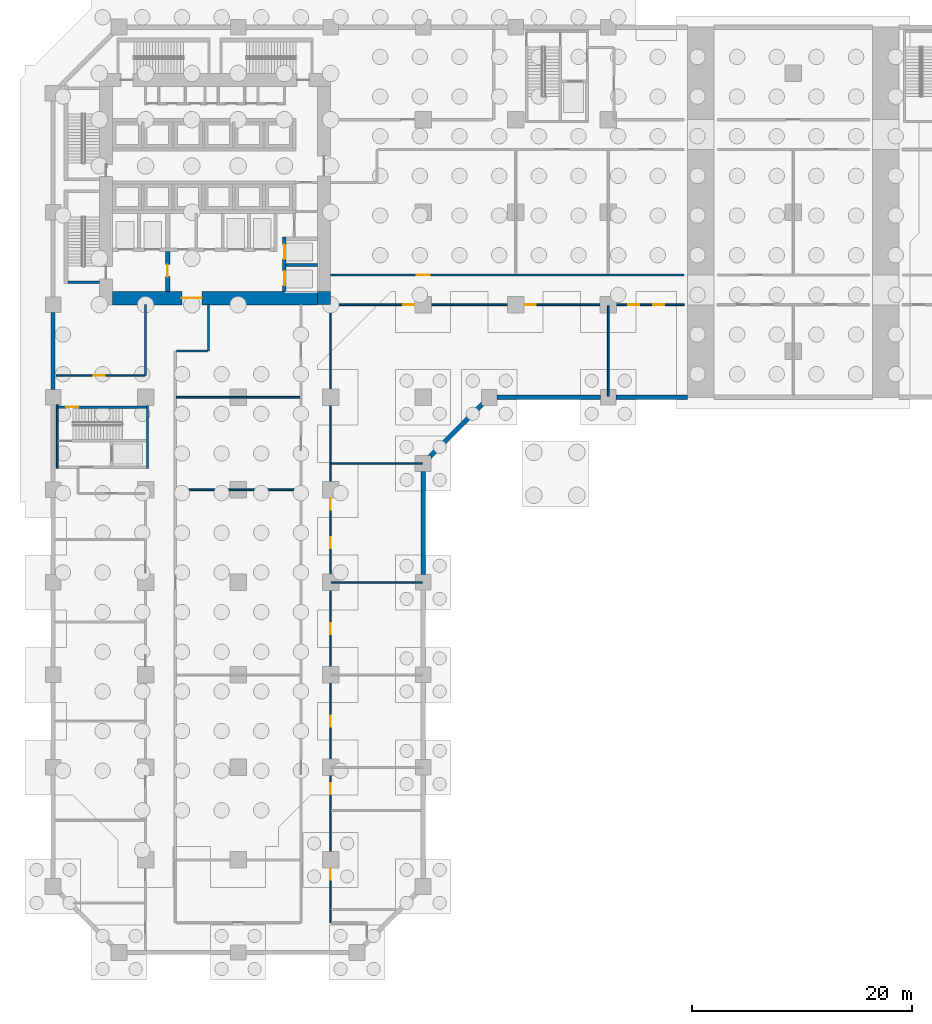
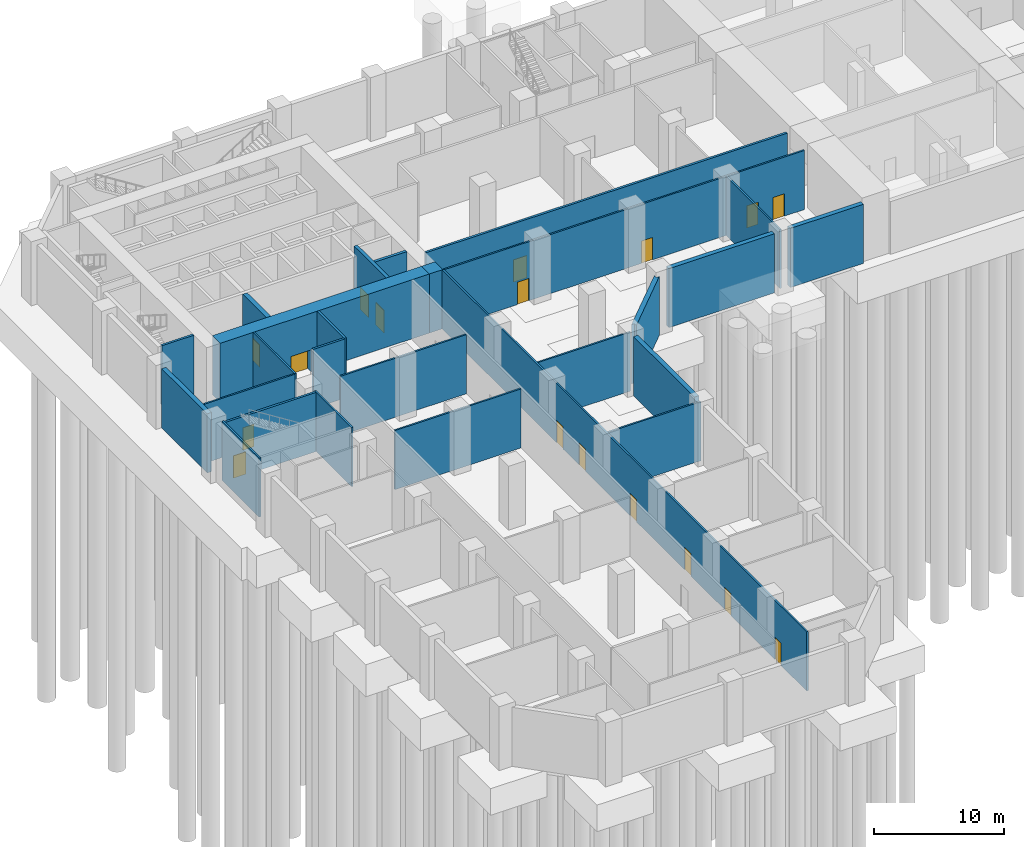
# One storey, part 5 of 13: 26 walls, 17 doors, 17 openings.
"""IFC4 building model written with IfcOpenShell, lengths in metres."""

from ifc_helpers import new_model, si_unit, direction, frame, frame_2d, origin, place, context, subcontext, project, spatial, polyline, rectangle, outline, extrude, material, layer, layer_set, type_object, element, fill, save


model = new_model("IFC4")

# Units and contexts
model_context = context("Model", 3, precision=1e-05, world=origin(), true_north=direction((0.0, 1.0)))
body_context = subcontext(model_context, "Body", "Model", "MODEL_VIEW")
ifc_project = project(units=[si_unit("LENGTHUNIT", "METRE"), si_unit("AREAUNIT", "SQUARE_METRE"), si_unit("VOLUMEUNIT", "CUBIC_METRE"), si_unit("PLANEANGLEUNIT", "RADIAN"), si_unit("MASSUNIT", "GRAM", prefix="KILO")], contexts=[model_context])

# Site, building, storey
site_placement = place(None, origin())
site = spatial("IfcSite", under=ifc_project, at=site_placement, CompositionType="ELEMENT")
building_placement = place(site_placement, origin())
building = spatial("IfcBuilding", under=site, at=building_placement, Name="Kawkab Arch Medical Tower", CompositionType="ELEMENT")
storey_placement = place(building_placement, frame((0.0, 0.0, -6.0)))
storey = spatial("IfcBuildingStorey", under=building, at=storey_placement, Name="B1", CompositionType="ELEMENT", Elevation=-6.0)

# Walls
ifc_material_1 = material(Name="Concrete C45/55", Category="concrete")
ifc_layer_1 = layer(ifc_material_1, 0.39990234375)
ifc_layer_set_1 = layer_set([ifc_layer_1], Name="Concrete C45/55")
wall_type_1 = type_object("IfcWallType", Name="Basement wall 400 C45/55", PredefinedType="SOLIDWALL", material=ifc_layer_set_1)
placement = place(storey_placement, origin())
element("IfcWall", 1, at=placement, inside=storey, type_object=wall_type_1, Name="Basement wall 15", PredefinedType="SOLIDWALL", context=body_context, shape_type="SweptSolid", body=[
    extrude(outline(polyline([(0.199951171875, -25.89990234375), (0.199951171875, -32.89990234375), (-0.199951171875, -32.89990234375), (-0.199951171875, -25.89990234375), (0.199951171875, -25.89990234375)])), origin(), (0.0, 0.0, 1.0), 5.550048828125),
])
element("IfcWall", 2, at=placement, inside=storey, type_object=wall_type_1, Name="Basement wall 17", PredefinedType="SOLIDWALL", context=body_context, shape_type="SweptSolid", body=[
    extrude(outline(polyline([(40.324951171875, -33.39990234375), (49.699951171875, -33.39990234375), (49.699951171875, -33.800048828125), (40.324951171875, -33.800048828125), (40.324951171875, -33.39990234375)])), origin(), (0.0, 0.0, 1.0), 5.550048828125),
])
element("IfcWall", 3, at=placement, inside=storey, type_object=wall_type_1, Name="Basement wall 18", PredefinedType="SOLIDWALL", context=body_context, shape_type="SweptSolid", body=[
    extrude(outline(polyline([(51.10009765625, -33.39990234375), (57.60009765625, -33.39990234375), (57.60009765625, -33.800048828125), (51.10009765625, -33.800048828125), (51.10009765625, -33.39990234375)])), origin(), (0.0, 0.0, 1.0), 5.550048828125),
])
element("IfcWall", 4, at=placement, inside=storey, type_object=wall_type_1, Name="Basement wall 21", PredefinedType="SOLIDWALL", context=body_context, shape_type="SweptSolid", body=[
    extrude(outline(polyline([(34.324951171875, -38.875), (34.042236328125, -38.875), (38.875, -34.042236328125), (38.875, -34.324951171875), (39.15771484375, -34.324951171875), (34.324951171875, -39.15771484375), (34.324951171875, -38.875)])), origin(), (0.0, 0.0, 1.0), 5.550048828125),
])
element("IfcWall", 5, at=placement, inside=storey, type_object=wall_type_1, Name="Basement wall 23", PredefinedType="SOLIDWALL", context=body_context, shape_type="SweptSolid", body=[
    extrude(outline(polyline([(33.39990234375, -49.699951171875), (33.39990234375, -40.324951171875), (33.800048828125, -40.324951171875), (33.800048828125, -49.699951171875), (33.39990234375, -49.699951171875)])), origin(), (0.0, 0.0, 1.0), 5.550048828125),
])

# Wall, opening, door
ifc_material_2 = material(Name="Concrete C60/75", Category="concrete")
ifc_layer_2 = layer(ifc_material_2, 1.199951171875)
ifc_layer_set_2 = layer_set([ifc_layer_2], Name="Concrete C60/75")
wall_type_2 = type_object("IfcWallType", Name="Core ring wall 1200 C60/75", PredefinedType="SHEAR", material=ifc_layer_set_2)
wall_6_placement = place(storey_placement, frame((5.39990234375, -24.60009765625, 0.0), z_axis=(0.0, 0.0, 1.0), x_axis=(1.0, 0.0, 0.0)))
wall_6 = element("IfcWall", 6, at=wall_6_placement, inside=storey, type_object=wall_type_2, Name="B1 core wall", PredefinedType="SHEAR", context=body_context, shape_type="SweptSolid", body=[
    extrude(rectangle(XDim=18.60009765625, YDim=1.199951171875, at=frame_2d((9.300048828125, 0.0))), origin(), (0.0, 0.0, 1.0), 5.550048828125),
])
opening_1_placement = place(wall_6_placement, frame((6.300048828125, 0.0, 0.0)))
opening_1 = element("IfcOpeningElement", 7, at=opening_1_placement, cuts=wall_6, Name="Opening PD", PredefinedType="OPENING", context=body_context, shape_type="SweptSolid", body=[
    extrude(rectangle(XDim=1.800048828125, YDim=2.10009765625, at=frame_2d((0.89990234375, 1.050048828125))), frame((0.0, 0.60986328125, 0.0), z_axis=(0.0, -1.0, 0.0), x_axis=(1.0, 0.0, 0.0)), (0.0, 0.0, 1.0), 1.219970703125),
])
ifc_material_3 = material(Name="Hollow metal fire door leaf")
door_type_1 = type_object("IfcDoorType", Name="Core entrance doors 1800", OperationType="DOUBLE_DOOR_SINGLE_SWING", PredefinedType="DOOR", material=ifc_material_3)
door_1_placement = place(opening_1_placement, origin())
door_1 = element("IfcDoor", 8, at=door_1_placement, inside=storey, type_object=door_type_1, Name="B1 South entrance doors", OperationType="DOUBLE_DOOR_SINGLE_SWING", OverallHeight=2.10009765625, OverallWidth=1.800048828125, PredefinedType="DOOR", context=body_context, shape_type="SweptSolid", body=[
    extrude(rectangle(XDim=1.800048828125, YDim=2.10009765625, at=frame_2d((0.89990234375, 1.050048828125))), frame((0.0, 0.02490234375, 0.0), z_axis=(0.0, -1.0, 0.0), x_axis=(1.0, 0.0, 0.0)), (0.0, 0.0, 1.0), 0.050048828125),
])
fill(opening_1, door_1)

# Walls
wall_7_placement = place(storey_placement, frame((24.60009765625, -25.199951171875, 0.0), z_axis=(0.0, 0.0, 1.0), x_axis=(0.0, 1.0, 0.0)))
element("IfcWall", 9, at=wall_7_placement, inside=storey, type_object=wall_type_2, Name="B1 core wall", PredefinedType="SHEAR", context=body_context, shape_type="SweptSolid", body=[
    extrude(rectangle(XDim=1.199951171875, YDim=1.199951171875, at=frame_2d((0.60009765625, 0.0))), origin(), (0.0, 0.0, 1.0), 5.550048828125),
])
ifc_material_4 = material(Name="Concrete C60/75", Category="concrete")
ifc_layer_3 = layer(ifc_material_4, 0.25)
ifc_layer_set_3 = layer_set([ifc_layer_3], Name="Concrete C60/75")
wall_type_3 = type_object("IfcWallType", Name="Core shear wall 250 C60/75", PredefinedType="SHEAR", material=ifc_layer_set_3)
wall_8_placement = place(storey_placement, frame((21.14990234375, -21.60009765625, 0.0), z_axis=(0.0, 0.0, 1.0), x_axis=(1.0, 0.0, 0.0)))
element("IfcWall", 10, at=wall_8_placement, inside=storey, type_object=wall_type_3, Name="B1 core shear wall", PredefinedType="SHEAR", context=body_context, shape_type="SweptSolid", body=[
    extrude(rectangle(XDim=2.85009765625, YDim=0.25, at=frame_2d((1.425048828125, 0.0))), origin(), (0.0, 0.0, 1.0), 5.550048828125),
])

# Wall, openings, doors
ifc_material_5 = material(Name="Concrete C60/75", Category="concrete")
ifc_layer_4 = layer(ifc_material_5, 0.300048828125)
ifc_layer_set_4 = layer_set([ifc_layer_4], Name="Concrete C60/75")
wall_type_4 = type_object("IfcWallType", Name="Core shear wall 300 C60/75", PredefinedType="SHEAR", material=ifc_layer_set_4)
wall_9_placement = place(storey_placement, frame((21.0, -24.0, 0.0), z_axis=(0.0, 0.0, 1.0), x_axis=(0.0, 1.0, 0.0)))
wall_9 = element("IfcWall", 11, at=wall_9_placement, inside=storey, type_object=wall_type_4, Name="B1 core shear wall", PredefinedType="SHEAR", context=body_context, shape_type="SweptSolid", body=[
    extrude(rectangle(XDim=4.949951171875, YDim=0.300048828125, at=frame_2d((2.47509765625, 0.0))), origin(), (0.0, 0.0, 1.0), 5.550048828125),
])
opening_2_placement = place(wall_9_placement, frame((2.949951171875, 0.0, 0.0)))
opening_2 = element("IfcOpeningElement", 12, at=opening_2_placement, cuts=wall_9, Name="Opening LD2", PredefinedType="OPENING", context=body_context, shape_type="SweptSolid", body=[
    extrude(rectangle(XDim=1.300048828125, YDim=2.10009765625, at=frame_2d((0.64990234375, 1.050048828125))), frame((0.0, 0.159912109375, 0.0), z_axis=(0.0, -1.0, 0.0), x_axis=(1.0, 0.0, 0.0)), (0.0, 0.0, 1.0), 0.320068359375),
])
opening_3_placement = place(wall_9_placement, frame((0.550048828125, 0.0, 0.0)))
opening_3 = element("IfcOpeningElement", 13, at=opening_3_placement, cuts=wall_9, Name="Opening LD2", PredefinedType="OPENING", context=body_context, shape_type="SweptSolid", body=[
    extrude(rectangle(XDim=1.300048828125, YDim=2.10009765625, at=frame_2d((0.64990234375, 1.050048828125))), frame((0.0, 0.159912109375, 0.0), z_axis=(0.0, -1.0, 0.0), x_axis=(1.0, 0.0, 0.0)), (0.0, 0.0, 1.0), 0.320068359375),
])
ifc_material_6 = material(Name="Stainless steel lift door leaf", Category="steel")
door_type_2 = type_object("IfcDoorType", Name="Lift landing door 1300", OperationType="DOUBLE_DOOR_SLIDING", PredefinedType="DOOR", material=ifc_material_6)
door_2_placement = place(opening_2_placement, origin())
door_2 = element("IfcDoor", 14, at=door_2_placement, inside=storey, type_object=door_type_2, Name="B1 Lift landing door BD1", OperationType="DOUBLE_DOOR_SLIDING", OverallHeight=2.10009765625, OverallWidth=1.300048828125, PredefinedType="DOOR", context=body_context, shape_type="SweptSolid", body=[
    extrude(rectangle(XDim=1.300048828125, YDim=2.10009765625, at=frame_2d((0.64990234375, 1.050048828125))), frame((0.0, 0.02490234375, 0.0), z_axis=(0.0, -1.0, 0.0), x_axis=(1.0, 0.0, 0.0)), (0.0, 0.0, 1.0), 0.050048828125),
])
fill(opening_2, door_2)
door_3_placement = place(opening_3_placement, origin())
door_3 = element("IfcDoor", 15, at=door_3_placement, inside=storey, type_object=door_type_2, Name="B1 Lift landing door BD2", OperationType="DOUBLE_DOOR_SLIDING", OverallHeight=2.10009765625, OverallWidth=1.300048828125, PredefinedType="DOOR", context=body_context, shape_type="SweptSolid", body=[
    extrude(rectangle(XDim=1.300048828125, YDim=2.10009765625, at=frame_2d((0.64990234375, 1.050048828125))), frame((0.0, 0.02490234375, 0.0), z_axis=(0.0, -1.0, 0.0), x_axis=(1.0, 0.0, 0.0)), (0.0, 0.0, 1.0), 0.050048828125),
])
fill(opening_3, door_3)

# Wall, opening, door
ifc_material_7 = material(Name="Concrete C60/75", Category="concrete")
ifc_layer_5 = layer(ifc_material_7, 0.39990234375)
ifc_layer_set_5 = layer_set([ifc_layer_5], Name="Concrete C60/75")
wall_type_5 = type_object("IfcWallType", Name="Core shear wall 400 C60/75", PredefinedType="SHEAR", material=ifc_layer_set_5)
wall_10_placement = place(storey_placement, frame((10.39990234375, -24.0, 0.0), z_axis=(0.0, 0.0, 1.0), x_axis=(0.0, 1.0, 0.0)))
wall_10 = element("IfcWall", 16, at=wall_10_placement, inside=storey, type_object=wall_type_5, Name="B1 core shear wall", PredefinedType="SHEAR", context=body_context, shape_type="SweptSolid", body=[
    extrude(rectangle(XDim=3.64990234375, YDim=0.39990234375, at=frame_2d((1.824951171875, 0.0))), origin(), (0.0, 0.0, 1.0), 5.550048828125),
])
opening_4_placement = place(wall_10_placement, frame((1.35009765625, 0.0, 0.0)))
opening_4 = element("IfcOpeningElement", 17, at=opening_4_placement, cuts=wall_10, Name="Opening FD", PredefinedType="OPENING", context=body_context, shape_type="SweptSolid", body=[
    extrude(rectangle(XDim=1.10009765625, YDim=2.10009765625, at=frame_2d((0.550048828125, 1.050048828125))), frame((0.0, 0.2099609375, 0.0), z_axis=(0.0, -1.0, 0.0), x_axis=(1.0, 0.0, 0.0)), (0.0, 0.0, 1.0), 0.419921875),
])
ifc_material_8 = material(Name="Hollow metal fire door leaf")
door_type_3 = type_object("IfcDoorType", Name="Firefighting lobby door 1100", OperationType="SINGLE_SWING_LEFT", PredefinedType="DOOR", material=ifc_material_8)
door_4_placement = place(opening_4_placement, origin())
door_4 = element("IfcDoor", 18, at=door_4_placement, inside=storey, type_object=door_type_3, Name="B1 Firefighting lobby door", OperationType="SINGLE_SWING_LEFT", OverallHeight=2.10009765625, OverallWidth=1.10009765625, PredefinedType="DOOR", context=body_context, shape_type="SweptSolid", body=[
    extrude(rectangle(XDim=1.10009765625, YDim=2.10009765625, at=frame_2d((0.550048828125, 1.050048828125))), frame((0.0, 0.02490234375, 0.0), z_axis=(0.0, -1.0, 0.0), x_axis=(1.0, 0.0, 0.0)), (0.0, 0.0, 1.0), 0.050048828125),
])
fill(opening_4, door_4)

# Walls
ifc_material_9 = material(Name="Gypsum board partition on steel studs, mineral wool", Category="steel")
ifc_layer_6 = layer(ifc_material_9, 0.14990234375)
ifc_layer_set_6 = layer_set([ifc_layer_6], Name="Gypsum board partition on steel studs, mineral wool")
wall_type_6 = type_object("IfcWallType", Name="Partition 150", PredefinedType="PARTITIONING", material=ifc_layer_set_6)
wall_11_placement = place(storey_placement, frame((25.27490234375, -50.39990234375, 0.0), z_axis=(0.0, 0.0, 1.0), x_axis=(1.0, 0.0, 0.0)))
element("IfcWall", 19, at=wall_11_placement, inside=storey, type_object=wall_type_6, Name="Partition 150 w012", PredefinedType="PARTITIONING", context=body_context, shape_type="SweptSolid", body=[
    extrude(rectangle(XDim=8.2451171875, YDim=0.14990234375, at=frame_2d((4.12255859375, 0.0))), origin(), (0.0, 0.0, 1.0), 5.550048828125),
])
wall_12_placement = place(storey_placement, frame((11.199951171875, -42.0, 0.0), z_axis=(0.0, 0.0, 1.0), x_axis=(1.0, 0.0, 0.0)))
element("IfcWall", 20, at=wall_12_placement, inside=storey, type_object=wall_type_6, Name="Partition 150 w015", PredefinedType="PARTITIONING", context=body_context, shape_type="SweptSolid", body=[
    extrude(rectangle(XDim=11.199951171875, YDim=0.14990234375, at=frame_2d((5.60009765625, 0.0))), origin(), (0.0, 0.0, 1.0), 5.550048828125),
])
wall_13_placement = place(storey_placement, frame((25.27490234375, -39.60009765625, 0.0), z_axis=(0.0, 0.0, 1.0), x_axis=(1.0, 0.0, 0.0)))
element("IfcWall", 21, at=wall_13_placement, inside=storey, type_object=wall_type_6, Name="Partition 150 w016", PredefinedType="PARTITIONING", context=body_context, shape_type="SweptSolid", body=[
    extrude(rectangle(XDim=8.2451171875, YDim=0.14990234375, at=frame_2d((4.12255859375, 0.0))), origin(), (0.0, 0.0, 1.0), 5.550048828125),
])
wall_14_placement = place(storey_placement, frame((11.199951171875, -33.60009765625, 0.0), z_axis=(0.0, 0.0, 1.0), x_axis=(1.0, 0.0, 0.0)))
element("IfcWall", 22, at=wall_14_placement, inside=storey, type_object=wall_type_6, Name="Partition 150 w017", PredefinedType="PARTITIONING", context=body_context, shape_type="SweptSolid", body=[
    extrude(rectangle(XDim=11.199951171875, YDim=0.14990234375, at=frame_2d((5.60009765625, 0.0))), origin(), (0.0, 0.0, 1.0), 5.550048828125),
])

# Wall, opening, door
wall_15_placement = place(storey_placement, frame((0.27392578125, -31.60693359375, 0.0), z_axis=(0.0, 0.0, 1.0), x_axis=(1.0, 0.0, 0.0)))
wall_15 = element("IfcWall", 23, at=wall_15_placement, inside=storey, type_object=wall_type_6, Name="Partition 150 w018", PredefinedType="PARTITIONING", context=body_context, shape_type="SweptSolid", body=[
    extrude(rectangle(XDim=8.051025390625, YDim=0.14990234375, at=frame_2d((4.025390625, 0.0))), origin(), (0.0, 0.0, 1.0), 5.550048828125),
])
opening_5_placement = place(wall_15_placement, frame((3.426025390625, 0.0, 0.0)))
opening_5 = element("IfcOpeningElement", 24, at=opening_5_placement, cuts=wall_15, Name="Opening B01-010", PredefinedType="OPENING", context=body_context, shape_type="SweptSolid", body=[
    extrude(rectangle(XDim=1.0, YDim=2.10009765625, at=frame_2d((0.5, 1.050048828125))), frame((0.0, 0.0849609375, 0.0), z_axis=(0.0, -1.0, 0.0), x_axis=(1.0, 0.0, 0.0)), (0.0, 0.0, 1.0), 0.169921875),
])
ifc_material_10 = material(Name="Hollow metal door leaf")
door_type_4 = type_object("IfcDoorType", Name="Single door 1000x2100 FD30S", OperationType="NOTDEFINED", PredefinedType="DOOR", material=ifc_material_10)
door_5_placement = place(opening_5_placement, origin())
door_5 = element("IfcDoor", 25, at=door_5_placement, inside=storey, type_object=door_type_4, Name="Door B01-010", OperationType="SINGLE_SWING_RIGHT", OverallHeight=2.10009765625, OverallWidth=1.0, PredefinedType="DOOR", context=body_context, shape_type="SweptSolid", body=[
    extrude(rectangle(XDim=1.0, YDim=2.10009765625, at=frame_2d((0.5, 1.050048828125))), frame((0.0, 0.02490234375, 0.0), z_axis=(0.0, -1.0, 0.0), x_axis=(1.0, 0.0, 0.0)), (0.0, 0.0, 1.0), 0.050048828125),
])
fill(opening_5, door_5)

# Wall, openings, doors
wall_16_placement = place(storey_placement, frame((25.27490234375, -25.199951171875, 0.0), z_axis=(0.0, 0.0, 1.0), x_axis=(1.0, 0.0, 0.0)))
wall_16 = element("IfcWall", 26, at=wall_16_placement, inside=storey, type_object=wall_type_6, Name="Partition 150 w019", PredefinedType="PARTITIONING", context=body_context, shape_type="SweptSolid", body=[
    extrude(rectangle(XDim=32.025146484375, YDim=0.14990234375, at=frame_2d((16.0126953125, 0.0))), origin(), (0.0, 0.0, 1.0), 5.550048828125),
])
opening_6_placement = place(wall_16_placement, frame((17.52490234375, 0.0, 0.0)))
opening_6 = element("IfcOpeningElement", 27, at=opening_6_placement, cuts=wall_16, Name="Opening B01-001", PredefinedType="OPENING", context=body_context, shape_type="SweptSolid", body=[
    extrude(rectangle(XDim=1.0, YDim=2.10009765625, at=frame_2d((0.5, 1.050048828125))), frame((0.0, 0.0849609375, 0.0), z_axis=(0.0, -1.0, 0.0), x_axis=(1.0, 0.0, 0.0)), (0.0, 0.0, 1.0), 0.169921875),
])
opening_7_placement = place(wall_16_placement, frame((6.52490234375, 0.0, 0.0)))
opening_7 = element("IfcOpeningElement", 28, at=opening_7_placement, cuts=wall_16, Name="Opening B01-002", PredefinedType="OPENING", context=body_context, shape_type="SweptSolid", body=[
    extrude(rectangle(XDim=1.0, YDim=2.10009765625, at=frame_2d((0.5, 1.050048828125))), frame((0.0, 0.0849609375, 0.0), z_axis=(0.0, -1.0, 0.0), x_axis=(1.0, 0.0, 0.0)), (0.0, 0.0, 1.0), 0.169921875),
])
opening_8_placement = place(wall_16_placement, frame((29.22509765625, 0.0, 0.0)))
opening_8 = element("IfcOpeningElement", 29, at=opening_8_placement, cuts=wall_16, Name="Opening B01-003", PredefinedType="OPENING", context=body_context, shape_type="SweptSolid", body=[
    extrude(rectangle(XDim=1.0, YDim=2.10009765625, at=frame_2d((0.5, 1.050048828125))), frame((0.0, 0.0849609375, 0.0), z_axis=(0.0, -1.0, 0.0), x_axis=(1.0, 0.0, 0.0)), (0.0, 0.0, 1.0), 0.169921875),
])
opening_9_placement = place(wall_16_placement, frame((26.925048828125, 0.0, 0.0)))
opening_9 = element("IfcOpeningElement", 30, at=opening_9_placement, cuts=wall_16, Name="Opening B01-004", PredefinedType="OPENING", context=body_context, shape_type="SweptSolid", body=[
    extrude(rectangle(XDim=1.0, YDim=2.10009765625, at=frame_2d((0.5, 1.050048828125))), frame((0.0, 0.0849609375, 0.0), z_axis=(0.0, -1.0, 0.0), x_axis=(1.0, 0.0, 0.0)), (0.0, 0.0, 1.0), 0.169921875),
])
door_6_placement = place(opening_6_placement, origin())
door_6 = element("IfcDoor", 31, at=door_6_placement, inside=storey, type_object=door_type_4, Name="Door B01-001", OperationType="SINGLE_SWING_LEFT", OverallHeight=2.10009765625, OverallWidth=1.0, PredefinedType="DOOR", context=body_context, shape_type="SweptSolid", body=[
    extrude(rectangle(XDim=1.0, YDim=2.10009765625, at=frame_2d((0.5, 1.050048828125))), frame((0.0, 0.02490234375, 0.0), z_axis=(0.0, -1.0, 0.0), x_axis=(1.0, 0.0, 0.0)), (0.0, 0.0, 1.0), 0.050048828125),
])
fill(opening_6, door_6)
door_7_placement = place(opening_7_placement, origin())
door_7 = element("IfcDoor", 32, at=door_7_placement, inside=storey, type_object=door_type_4, Name="Door B01-002", OperationType="SINGLE_SWING_RIGHT", OverallHeight=2.10009765625, OverallWidth=1.0, PredefinedType="DOOR", context=body_context, shape_type="SweptSolid", body=[
    extrude(rectangle(XDim=1.0, YDim=2.10009765625, at=frame_2d((0.5, 1.050048828125))), frame((0.0, 0.02490234375, 0.0), z_axis=(0.0, -1.0, 0.0), x_axis=(1.0, 0.0, 0.0)), (0.0, 0.0, 1.0), 0.050048828125),
])
fill(opening_7, door_7)
door_8_placement = place(opening_8_placement, origin())
door_8 = element("IfcDoor", 33, at=door_8_placement, inside=storey, type_object=door_type_4, Name="Door B01-003", OperationType="SINGLE_SWING_LEFT", OverallHeight=2.10009765625, OverallWidth=1.0, PredefinedType="DOOR", context=body_context, shape_type="SweptSolid", body=[
    extrude(rectangle(XDim=1.0, YDim=2.10009765625, at=frame_2d((0.5, 1.050048828125))), frame((0.0, 0.02490234375, 0.0), z_axis=(0.0, -1.0, 0.0), x_axis=(1.0, 0.0, 0.0)), (0.0, 0.0, 1.0), 0.050048828125),
])
fill(opening_8, door_8)
door_9_placement = place(opening_9_placement, origin())
door_9 = element("IfcDoor", 34, at=door_9_placement, inside=storey, type_object=door_type_4, Name="Door B01-004", OperationType="SINGLE_SWING_LEFT", OverallHeight=2.10009765625, OverallWidth=1.0, PredefinedType="DOOR", context=body_context, shape_type="SweptSolid", body=[
    extrude(rectangle(XDim=1.0, YDim=2.10009765625, at=frame_2d((0.5, 1.050048828125))), frame((0.0, 0.02490234375, 0.0), z_axis=(0.0, -1.0, 0.0), x_axis=(1.0, 0.0, 0.0)), (0.0, 0.0, 1.0), 0.050048828125),
])
fill(opening_9, door_9)

# Wall
wall_17_placement = place(storey_placement, frame((8.39990234375, -31.60693359375, 0.0), z_axis=(0.0, 0.0, 1.0), x_axis=(0.0, 1.0, 0.0)))
element("IfcWall", 35, at=wall_17_placement, inside=storey, type_object=wall_type_6, Name="Partition 150 w024", PredefinedType="PARTITIONING", context=body_context, shape_type="SweptSolid", body=[
    extrude(rectangle(XDim=6.406982421875, YDim=0.14990234375, at=frame_2d((3.20361328125, 0.0))), origin(), (0.0, 0.0, 1.0), 5.550048828125),
])

# Wall, openings, doors
wall_18_placement = place(storey_placement, frame((25.199951171875, -81.300048828125, 0.0), z_axis=(0.0, 0.0, 1.0), x_axis=(0.0, 1.0, 0.0)))
wall_18 = element("IfcWall", 36, at=wall_18_placement, inside=storey, type_object=wall_type_6, Name="Partition 150 w027", PredefinedType="PARTITIONING", context=body_context, shape_type="SweptSolid", body=[
    extrude(rectangle(XDim=56.10009765625, YDim=0.14990234375, at=frame_2d((28.050048828125, 0.0))), origin(), (0.0, 0.0, 1.0), 5.550048828125),
])
opening_10_placement = place(wall_18_placement, frame((37.5, 0.0, 0.0)))
opening_10 = element("IfcOpeningElement", 37, at=opening_10_placement, cuts=wall_18, Name="Opening B01-018", PredefinedType="OPENING", context=body_context, shape_type="SweptSolid", body=[
    extrude(rectangle(XDim=1.0, YDim=2.10009765625, at=frame_2d((0.5, 1.050048828125))), frame((0.0, 0.0849609375, 0.0), z_axis=(0.0, -1.0, 0.0), x_axis=(1.0, 0.0, 0.0)), (0.0, 0.0, 1.0), 0.169921875),
])
opening_11_placement = place(wall_18_placement, frame((34.0, 0.0, 0.0)))
opening_11 = element("IfcOpeningElement", 38, at=opening_11_placement, cuts=wall_18, Name="Opening B01-019", PredefinedType="OPENING", context=body_context, shape_type="SweptSolid", body=[
    extrude(rectangle(XDim=1.0, YDim=2.10009765625, at=frame_2d((0.5, 1.050048828125))), frame((0.0, 0.0849609375, 0.0), z_axis=(0.0, -1.0, 0.0), x_axis=(1.0, 0.0, 0.0)), (0.0, 0.0, 1.0), 0.169921875),
])
opening_12_placement = place(wall_18_placement, frame((26.199951171875, 0.0, 0.0)))
opening_12 = element("IfcOpeningElement", 39, at=opening_12_placement, cuts=wall_18, Name="Opening B01-020", PredefinedType="OPENING", context=body_context, shape_type="SweptSolid", body=[
    extrude(rectangle(XDim=1.0, YDim=2.10009765625, at=frame_2d((0.5, 1.050048828125))), frame((0.0, 0.0849609375, 0.0), z_axis=(0.0, -1.0, 0.0), x_axis=(1.0, 0.0, 0.0)), (0.0, 0.0, 1.0), 0.169921875),
])
opening_13_placement = place(wall_18_placement, frame((17.800048828125, 0.0, 0.0)))
opening_13 = element("IfcOpeningElement", 40, at=opening_13_placement, cuts=wall_18, Name="Opening B01-021", PredefinedType="OPENING", context=body_context, shape_type="SweptSolid", body=[
    extrude(rectangle(XDim=1.0, YDim=2.10009765625, at=frame_2d((0.5, 1.050048828125))), frame((0.0, 0.0849609375, 0.0), z_axis=(0.0, -1.0, 0.0), x_axis=(1.0, 0.0, 0.0)), (0.0, 0.0, 1.0), 0.169921875),
])
opening_14_placement = place(wall_18_placement, frame((11.64990234375, 0.0, 0.0)))
opening_14 = element("IfcOpeningElement", 41, at=opening_14_placement, cuts=wall_18, Name="Opening B01-022", PredefinedType="OPENING", context=body_context, shape_type="SweptSolid", body=[
    extrude(rectangle(XDim=1.0, YDim=2.10009765625, at=frame_2d((0.5, 1.050048828125))), frame((0.0, 0.0849609375, 0.0), z_axis=(0.0, -1.0, 0.0), x_axis=(1.0, 0.0, 0.0)), (0.0, 0.0, 1.0), 0.169921875),
])
opening_15_placement = place(wall_18_placement, frame((3.89990234375, 0.0, 0.0)))
opening_15 = element("IfcOpeningElement", 42, at=opening_15_placement, cuts=wall_18, Name="Opening B01-023", PredefinedType="OPENING", context=body_context, shape_type="SweptSolid", body=[
    extrude(rectangle(XDim=1.0, YDim=2.10009765625, at=frame_2d((0.5, 1.050048828125))), frame((0.0, 0.0849609375, 0.0), z_axis=(0.0, -1.0, 0.0), x_axis=(1.0, 0.0, 0.0)), (0.0, 0.0, 1.0), 0.169921875),
])
door_10_placement = place(opening_10_placement, origin())
door_10 = element("IfcDoor", 43, at=door_10_placement, inside=storey, type_object=door_type_4, Name="Door B01-018", OperationType="SINGLE_SWING_LEFT", OverallHeight=2.10009765625, OverallWidth=1.0, PredefinedType="DOOR", context=body_context, shape_type="SweptSolid", body=[
    extrude(rectangle(XDim=1.0, YDim=2.10009765625, at=frame_2d((0.5, 1.050048828125))), frame((0.0, 0.02490234375, 0.0), z_axis=(0.0, -1.0, 0.0), x_axis=(1.0, 0.0, 0.0)), (0.0, 0.0, 1.0), 0.050048828125),
])
fill(opening_10, door_10)
door_11_placement = place(opening_11_placement, origin())
door_11 = element("IfcDoor", 44, at=door_11_placement, inside=storey, type_object=door_type_4, Name="Door B01-019", OperationType="SINGLE_SWING_LEFT", OverallHeight=2.10009765625, OverallWidth=1.0, PredefinedType="DOOR", context=body_context, shape_type="SweptSolid", body=[
    extrude(rectangle(XDim=1.0, YDim=2.10009765625, at=frame_2d((0.5, 1.050048828125))), frame((0.0, 0.02490234375, 0.0), z_axis=(0.0, -1.0, 0.0), x_axis=(1.0, 0.0, 0.0)), (0.0, 0.0, 1.0), 0.050048828125),
])
fill(opening_11, door_11)
door_12_placement = place(opening_12_placement, origin())
door_12 = element("IfcDoor", 45, at=door_12_placement, inside=storey, type_object=door_type_4, Name="Door B01-020", OperationType="SINGLE_SWING_RIGHT", OverallHeight=2.10009765625, OverallWidth=1.0, PredefinedType="DOOR", context=body_context, shape_type="SweptSolid", body=[
    extrude(rectangle(XDim=1.0, YDim=2.10009765625, at=frame_2d((0.5, 1.050048828125))), frame((0.0, 0.02490234375, 0.0), z_axis=(0.0, -1.0, 0.0), x_axis=(1.0, 0.0, 0.0)), (0.0, 0.0, 1.0), 0.050048828125),
])
fill(opening_12, door_12)
door_13_placement = place(opening_13_placement, origin())
door_13 = element("IfcDoor", 46, at=door_13_placement, inside=storey, type_object=door_type_4, Name="Door B01-021", OperationType="SINGLE_SWING_RIGHT", OverallHeight=2.10009765625, OverallWidth=1.0, PredefinedType="DOOR", context=body_context, shape_type="SweptSolid", body=[
    extrude(rectangle(XDim=1.0, YDim=2.10009765625, at=frame_2d((0.5, 1.050048828125))), frame((0.0, 0.02490234375, 0.0), z_axis=(0.0, -1.0, 0.0), x_axis=(1.0, 0.0, 0.0)), (0.0, 0.0, 1.0), 0.050048828125),
])
fill(opening_13, door_13)
door_14_placement = place(opening_14_placement, origin())
door_14 = element("IfcDoor", 47, at=door_14_placement, inside=storey, type_object=door_type_4, Name="Door B01-022", OperationType="SINGLE_SWING_RIGHT", OverallHeight=2.10009765625, OverallWidth=1.0, PredefinedType="DOOR", context=body_context, shape_type="SweptSolid", body=[
    extrude(rectangle(XDim=1.0, YDim=2.10009765625, at=frame_2d((0.5, 1.050048828125))), frame((0.0, 0.02490234375, 0.0), z_axis=(0.0, -1.0, 0.0), x_axis=(1.0, 0.0, 0.0)), (0.0, 0.0, 1.0), 0.050048828125),
])
fill(opening_14, door_14)
door_15_placement = place(opening_15_placement, origin())
door_15 = element("IfcDoor", 48, at=door_15_placement, inside=storey, type_object=door_type_4, Name="Door B01-023", OperationType="SINGLE_SWING_RIGHT", OverallHeight=2.10009765625, OverallWidth=1.0, PredefinedType="DOOR", context=body_context, shape_type="SweptSolid", body=[
    extrude(rectangle(XDim=1.0, YDim=2.10009765625, at=frame_2d((0.5, 1.050048828125))), frame((0.0, 0.02490234375, 0.0), z_axis=(0.0, -1.0, 0.0), x_axis=(1.0, 0.0, 0.0)), (0.0, 0.0, 1.0), 0.050048828125),
])
fill(opening_15, door_15)

# Walls
wall_19_placement = place(storey_placement, frame((50.39990234375, -33.52001953125, 0.0), z_axis=(0.0, 0.0, 1.0), x_axis=(0.0, 1.0, 0.0)))
element("IfcWall", 49, at=wall_19_placement, inside=storey, type_object=wall_type_6, Name="Partition 150 w030", PredefinedType="PARTITIONING", context=body_context, shape_type="SweptSolid", body=[
    extrude(rectangle(XDim=8.2451171875, YDim=0.14990234375, at=frame_2d((4.12255859375, 0.0))), origin(), (0.0, 0.0, 1.0), 5.550048828125),
])
ifc_material_11 = material(Name="Fire-rated gypsum board partition on steel studs", Category="steel")
ifc_layer_7 = layer(ifc_material_11, 0.199951171875)
ifc_layer_set_7 = layer_set([ifc_layer_7], Name="Fire-rated gypsum board partition on steel studs")
wall_type_7 = type_object("IfcWallType", Name="Protected partition 200", PredefinedType="PARTITIONING", material=ifc_layer_set_7)
wall_20_placement = place(storey_placement, frame((11.199951171875, -29.39990234375, 0.0), z_axis=(0.0, 0.0, 1.0), x_axis=(1.0, 0.0, 0.0)))
element("IfcWall", 50, at=wall_20_placement, inside=storey, type_object=wall_type_7, Name="Protected partition 200 w037", PredefinedType="PARTITIONING", context=body_context, shape_type="SweptSolid", body=[
    extrude(rectangle(XDim=2.800048828125, YDim=0.199951171875, at=frame_2d((1.39990234375, 0.0))), origin(), (0.0, 0.0, 1.0), 5.550048828125),
])

# Wall, opening, door
wall_21_placement = place(storey_placement, frame((25.199951171875, -22.5, 0.0), z_axis=(0.0, 0.0, 1.0), x_axis=(1.0, 0.0, 0.0)))
wall_21 = element("IfcWall", 51, at=wall_21_placement, inside=storey, type_object=wall_type_7, Name="Protected partition 200 w038", PredefinedType="PARTITIONING", context=body_context, shape_type="SweptSolid", body=[
    extrude(rectangle(XDim=32.10009765625, YDim=0.199951171875, at=frame_2d((16.050048828125, 0.0))), origin(), (0.0, 0.0, 1.0), 5.550048828125),
])
opening_16_placement = place(wall_21_placement, frame((7.800048828125, 0.0, 0.0)))
opening_16 = element("IfcOpeningElement", 52, at=opening_16_placement, cuts=wall_21, Name="Opening B01-029", PredefinedType="OPENING", context=body_context, shape_type="SweptSolid", body=[
    extrude(rectangle(XDim=1.199951171875, YDim=2.10009765625, at=frame_2d((0.60009765625, 1.050048828125))), frame((0.0, 0.10986328125, 0.0), z_axis=(0.0, -1.0, 0.0), x_axis=(1.0, 0.0, 0.0)), (0.0, 0.0, 1.0), 0.219970703125),
])
ifc_material_12 = material(Name="Hollow metal door leaf")
door_type_5 = type_object("IfcDoorType", Name="Single door 1200x2100 FD60", OperationType="NOTDEFINED", PredefinedType="DOOR", material=ifc_material_12)
door_16_placement = place(opening_16_placement, origin())
door_16 = element("IfcDoor", 53, at=door_16_placement, inside=storey, type_object=door_type_5, Name="Door B01-029", OperationType="SINGLE_SWING_LEFT", OverallHeight=2.10009765625, OverallWidth=1.199951171875, PredefinedType="DOOR", context=body_context, shape_type="SweptSolid", body=[
    extrude(rectangle(XDim=1.199951171875, YDim=2.10009765625, at=frame_2d((0.60009765625, 1.050048828125))), frame((0.0, 0.02490234375, 0.0), z_axis=(0.0, -1.0, 0.0), x_axis=(1.0, 0.0, 0.0)), (0.0, 0.0, 1.0), 0.050048828125),
])
fill(opening_16, door_16)

# Walls
wall_22_placement = place(storey_placement, frame((14.10009765625, -29.39990234375, 0.0), z_axis=(0.0, 0.0, 1.0), x_axis=(0.0, 1.0, 0.0)))
element("IfcWall", 54, at=wall_22_placement, inside=storey, type_object=wall_type_7, Name="Protected partition 200 w051", PredefinedType="PARTITIONING", context=body_context, shape_type="SweptSolid", body=[
    extrude(rectangle(XDim=4.199951171875, YDim=0.199951171875, at=frame_2d((2.10009765625, 0.0))), origin(), (0.0, 0.0, 1.0), 5.550048828125),
])
ifc_material_13 = material(Name="Concrete C50/60", Category="concrete")
ifc_layer_8 = layer(ifc_material_13, 0.14990234375)
ifc_layer_set_8 = layer_set([ifc_layer_8], Name="Concrete C50/60")
wall_type_8 = type_object("IfcWallType", Name="Stair enclosure wall 150 C50/60", PredefinedType="SHEAR", material=ifc_layer_set_8)
wall_23_placement = place(storey_placement, frame((0.375, -40.050048828125, 0.0), z_axis=(0.0, 0.0, 1.0), x_axis=(0.0, 1.0, 0.0)))
element("IfcWall", 55, at=wall_23_placement, inside=storey, type_object=wall_type_8, Name="B1 stair enclosure wall", PredefinedType="SHEAR", context=body_context, shape_type="SweptSolid", body=[
    extrude(rectangle(XDim=5.75, YDim=0.14990234375, at=frame_2d((2.875, 0.0))), origin(), (0.0, 0.0, 1.0), 5.550048828125),
])
wall_24_placement = place(storey_placement, frame((8.574951171875, -40.050048828125, 0.0), z_axis=(0.0, 0.0, 1.0), x_axis=(0.0, 1.0, 0.0)))
element("IfcWall", 56, at=wall_24_placement, inside=storey, type_object=wall_type_8, Name="B1 stair enclosure wall", PredefinedType="SHEAR", context=body_context, shape_type="SweptSolid", body=[
    extrude(rectangle(XDim=5.699951171875, YDim=0.14990234375, at=frame_2d((2.85009765625, 0.0))), origin(), (0.0, 0.0, 1.0), 5.550048828125),
])
ifc_material_14 = material(Name="Concrete C50/60", Category="concrete")
ifc_layer_9 = layer(ifc_material_14, 0.199951171875)
ifc_layer_set_9 = layer_set([ifc_layer_9], Name="Concrete C50/60")
wall_type_9 = type_object("IfcWallType", Name="Stair enclosure wall 200 C50/60", PredefinedType="SHEAR", material=ifc_layer_set_9)
wall_25_placement = place(storey_placement, frame((1.35009765625, -23.14990234375, 0.0), z_axis=(0.0, 0.0, 1.0), x_axis=(1.0, 0.0, 0.0)))
element("IfcWall", 57, at=wall_25_placement, inside=storey, type_object=wall_type_9, Name="B1 stair enclosure wall", PredefinedType="SHEAR", context=body_context, shape_type="SweptSolid", body=[
    extrude(rectangle(XDim=2.849853515625, YDim=0.199951171875, at=frame_2d((1.4248046875, 0.0))), origin(), (0.0, 0.0, 1.0), 5.550048828125),
])

# Wall, opening, door
wall_26_placement = place(storey_placement, frame((0.449951171875, -34.5, 0.0), z_axis=(0.0, 0.0, 1.0), x_axis=(1.0, 0.0, 0.0)))
wall_26 = element("IfcWall", 58, at=wall_26_placement, inside=storey, type_object=wall_type_9, Name="B1 stair enclosure wall", PredefinedType="SHEAR", context=body_context, shape_type="SweptSolid", body=[
    extrude(rectangle(XDim=8.050048828125, YDim=0.199951171875, at=frame_2d((4.02490234375, 0.0))), origin(), (0.0, 0.0, 1.0), 5.550048828125),
])
opening_17_placement = place(wall_26_placement, frame((0.75, 0.0, 0.0)))
opening_17 = element("IfcOpeningElement", 59, at=opening_17_placement, cuts=wall_26, Name="Opening SD", PredefinedType="OPENING", context=body_context, shape_type="SweptSolid", body=[
    extrude(rectangle(XDim=1.10009765625, YDim=2.10009765625, at=frame_2d((0.550048828125, 1.050048828125))), frame((0.0, 0.10986328125, 0.0), z_axis=(0.0, -1.0, 0.0), x_axis=(1.0, 0.0, 0.0)), (0.0, 0.0, 1.0), 0.219970703125),
])
ifc_material_15 = material(Name="Hollow metal fire door leaf")
door_type_6 = type_object("IfcDoorType", Name="Exit stair door 1100", OperationType="SINGLE_SWING_LEFT", PredefinedType="DOOR", material=ifc_material_15)
door_17_placement = place(opening_17_placement, origin())
door_17 = element("IfcDoor", 60, at=door_17_placement, inside=storey, type_object=door_type_6, Name="B1 Exit stair ST6 door", OperationType="SINGLE_SWING_LEFT", OverallHeight=2.10009765625, OverallWidth=1.10009765625, PredefinedType="DOOR", context=body_context, shape_type="SweptSolid", body=[
    extrude(rectangle(XDim=1.10009765625, YDim=2.10009765625, at=frame_2d((0.550048828125, 1.050048828125))), frame((0.0, 0.02490234375, 0.0), z_axis=(0.0, -1.0, 0.0), x_axis=(1.0, 0.0, 0.0)), (0.0, 0.0, 1.0), 0.050048828125),
])
fill(opening_17, door_17)

save(model, "model.ifc")
